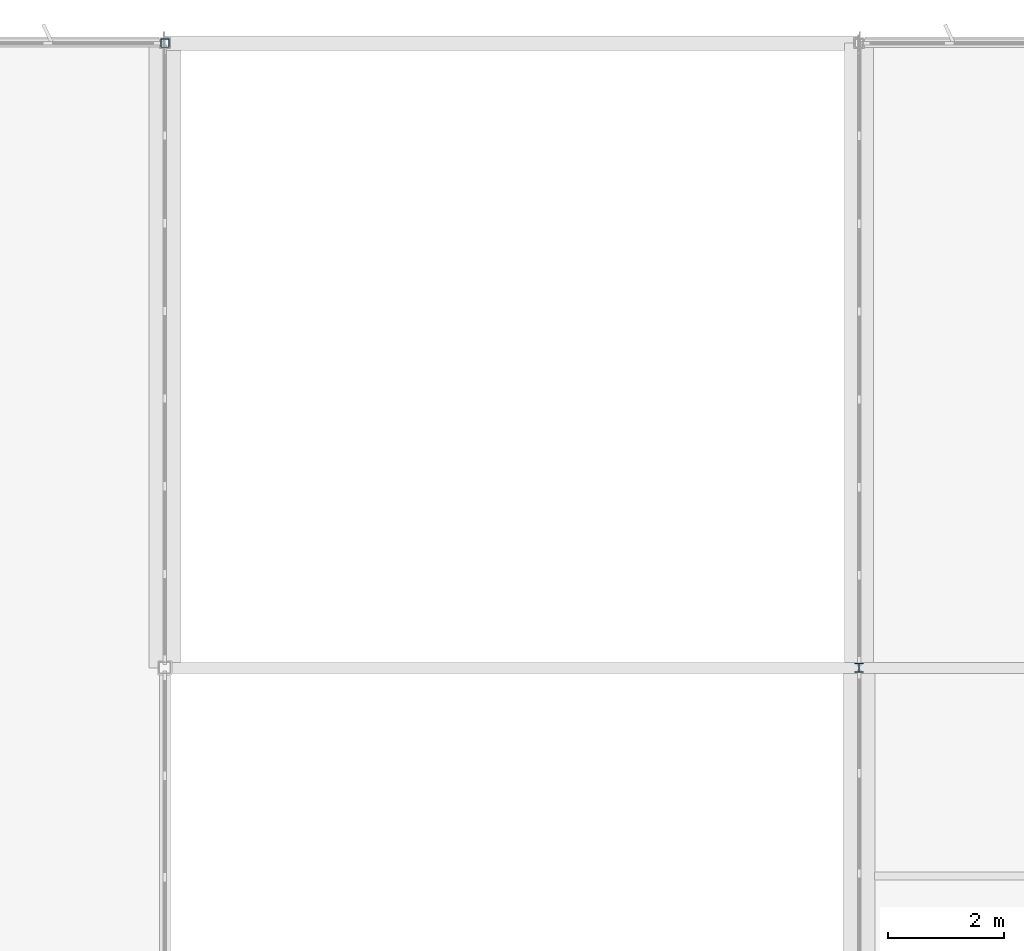
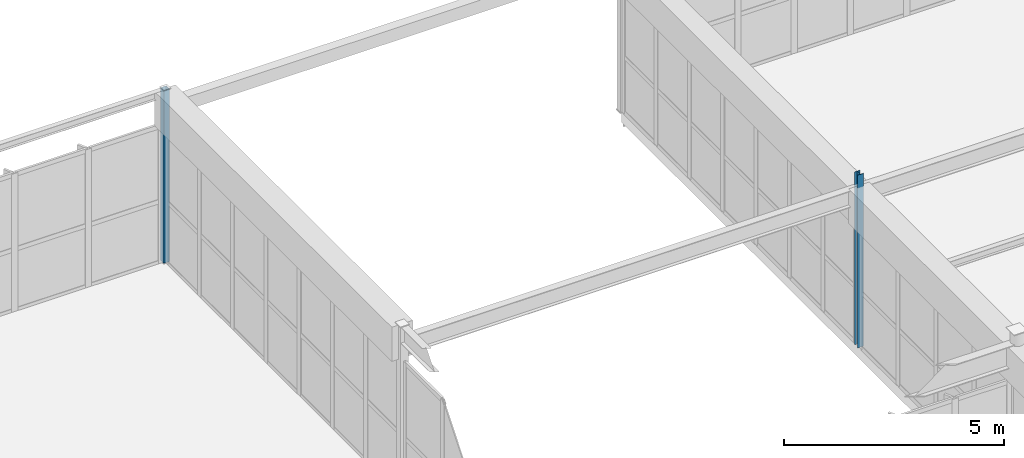
# One storey, part 50 of 186: 2 columns.
"""IFC4 building model written with IfcOpenShell, lengths in metres."""

from ifc_helpers import new_model, si_unit, direction, frame, origin, origin_2d, place, context, subcontext, project, spatial, hollow_rectangle, i_section, extrude, material, material_profile, profile_set, type_object, element, save


model = new_model("IFC4")

# Units and contexts
model_context = context("Model", 3, precision=1e-05, world=origin(), true_north=direction((0.0, 1.0)))
body_context = subcontext(model_context, "Body", "Model", "MODEL_VIEW")
ifc_project = project(units=[si_unit("LENGTHUNIT", "METRE"), si_unit("AREAUNIT", "SQUARE_METRE"), si_unit("VOLUMEUNIT", "CUBIC_METRE"), si_unit("PLANEANGLEUNIT", "RADIAN"), si_unit("MASSUNIT", "GRAM", prefix="KILO")], contexts=[model_context])

# Site, building, storey
site_placement = place(None, origin())
site = spatial("IfcSite", under=ifc_project, at=site_placement, CompositionType="ELEMENT")
building_placement = place(site_placement, origin())
building = spatial("IfcBuilding", under=site, at=building_placement, Name="Tarnwether General Hospital", CompositionType="ELEMENT")
storey_placement = place(building_placement, frame((0.0, 0.0, 9.60009765625)))
storey = spatial("IfcBuildingStorey", under=building, at=storey_placement, Name="L02", CompositionType="ELEMENT", Elevation=9.60009765625)

# Columns
ifc_material_1 = material(Name="Steel Grade 350 (350 MPa)", Category="steel")
ifc_material_profile_1 = material_profile(ifc_material_1, i_section(OverallWidth=0.152099609375, OverallDepth=0.152099609375, WebThickness=0.006103515625, FlangeThickness=0.0068359375, at=origin_2d()), Name="150UC23.4")
ifc_profile_set_1 = profile_set([ifc_material_profile_1], Name="Steel Grade 350 (350 MPa)")
column_type_1 = type_object("IfcColumnType", Name="COL-32", PredefinedType="COLUMN", material=ifc_profile_set_1)
column_1_placement = place(storey_placement, frame((144.0, 115.199951171875, 0.0), z_axis=(0.0, 0.0, 1.0), x_axis=(1.0, 0.0, 0.0)))
element("IfcColumn", 1, at=column_1_placement, inside=storey, type_object=column_type_1, Name="Column COLG-L02-14400_11520", PredefinedType="COLUMN", context=body_context, shape_type="SweptSolid", body=[
    extrude(i_section(OverallWidth=0.152099609375, OverallDepth=0.152099609375, WebThickness=0.006103515625, FlangeThickness=0.0068359375, at=origin_2d()), origin(), (0.0, 0.0, 1.0), 4.7998046875),
])
ifc_material_2 = material(Name="Steel Grade C350L0 (350 MPa)", Category="steel")
ifc_material_profile_2 = material_profile(ifc_material_2, hollow_rectangle(XDim=0.14990234375, YDim=0.14990234375, WallThickness=0.008056640625, at=origin_2d()), Name="SHS150x150x8")
ifc_profile_set_2 = profile_set([ifc_material_profile_2], Name="Steel Grade C350L0 (350 MPa)")
column_type_2 = type_object("IfcColumnType", Name="COL-33", PredefinedType="COLUMN", material=ifc_profile_set_2)
column_2_placement = place(storey_placement, frame((132.0, 126.0, 0.0), z_axis=(0.0, 0.0, 1.0), x_axis=(0.0, 1.0, 0.0)))
element("IfcColumn", 2, at=column_2_placement, inside=storey, type_object=column_type_2, Name="Column COLG-L02-13200_12600", PredefinedType="COLUMN", context=body_context, shape_type="SweptSolid", body=[
    extrude(hollow_rectangle(XDim=0.14990234375, YDim=0.14990234375, WallThickness=0.008056640625, at=origin_2d()), origin(), (0.0, 0.0, 1.0), 4.7998046875),
])

save(model, "model.ifc")
